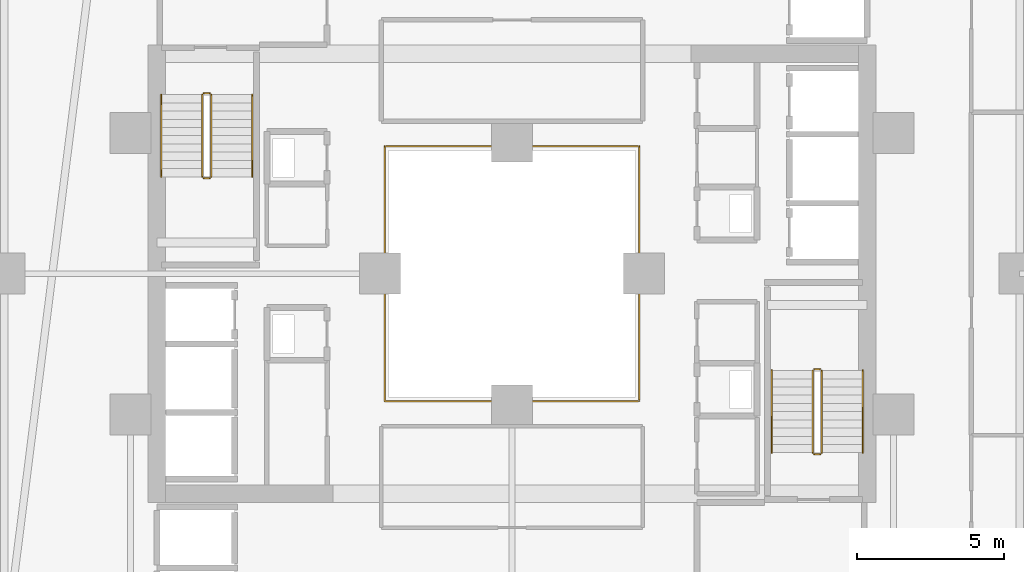
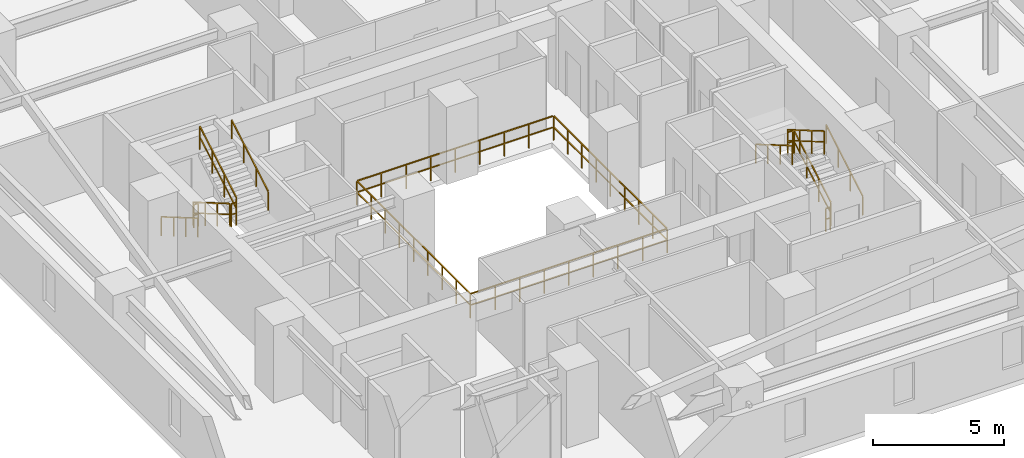
# One storey, part 33 of 34: 13 railings.
"""IFC4 building model written with IfcOpenShell, lengths in metres."""

from ifc_helpers import new_model, si_unit, direction, frame, origin, origin_2d, place, context, subcontext, project, spatial, rectangle, extrude, material, type_object, element, save


model = new_model("IFC4")

# Units and contexts
model_context = context("Model", 3, precision=1e-05, world=origin(), true_north=direction((0.0, 1.0)))
body_context = subcontext(model_context, "Body", "Model", "MODEL_VIEW")
ifc_project = project(units=[si_unit("LENGTHUNIT", "METRE"), si_unit("AREAUNIT", "SQUARE_METRE"), si_unit("VOLUMEUNIT", "CUBIC_METRE"), si_unit("PLANEANGLEUNIT", "RADIAN"), si_unit("MASSUNIT", "GRAM", prefix="KILO")], contexts=[model_context])

# Site, building, storey
site_placement = place(None, origin())
site = spatial("IfcSite", under=ifc_project, at=site_placement, CompositionType="ELEMENT")
building_placement = place(site_placement, origin())
building = spatial("IfcBuilding", under=site, at=building_placement, Name="Thornwick Lancets Civic Towers", CompositionType="ELEMENT")
storey_placement = place(building_placement, frame((0.0, 0.0, 60.89990234375)))
storey = spatial("IfcBuildingStorey", under=building, at=storey_placement, Name="L15", CompositionType="ELEMENT", Elevation=60.89990234375)

# Railings
ifc_material_1 = material(Name="Laminated glass and bronze steel S355", Category="steel")
railing_type_1 = type_object("IfcRailingType", Name="RAIL_ATRIUM_GUARD", PredefinedType="BALUSTRADE", material=ifc_material_1)
railing_1_placement = place(storey_placement, frame((84.159912109375, 22.659912109375, 0.0)))
element("IfcRailing", 1, at=railing_1_placement, inside=storey, type_object=railing_type_1, Name="L15 Tower B Central Atrium Guard Balustrade", PredefinedType="BALUSTRADE", context=body_context, shape_type="SweptSolid", body=[
    extrude(rectangle(XDim=0.048095703125, YDim=0.048095703125, at=origin_2d()), frame((0.0, 0.0, 1.1259765625), z_axis=(1.0, 0.0, 0.0), x_axis=(0.0, 1.0, 0.0)), (0.0, 0.0, 1.0), 8.64892578125),
    extrude(rectangle(XDim=0.0419921875, YDim=0.0419921875, at=origin_2d()), frame((0.03759765625, 0.0, 0.597900390625), z_axis=(1.0, 0.0, 0.0), x_axis=(0.0, 1.0, 0.0)), (0.0, 0.0, 1.0), 1.010009765625),
    extrude(rectangle(XDim=0.0419921875, YDim=0.0419921875, at=origin_2d()), frame((1.12255859375, 0.0, 0.597900390625), z_axis=(1.0, 0.0, 0.0), x_axis=(0.0, 1.0, 0.0)), (0.0, 0.0, 1.0), 1.010009765625),
    extrude(rectangle(XDim=0.0419921875, YDim=0.0419921875, at=origin_2d()), frame((2.20751953125, 0.0, 0.597900390625), z_axis=(1.0, 0.0, 0.0), x_axis=(0.0, 1.0, 0.0)), (0.0, 0.0, 1.0), 1.010009765625),
    extrude(rectangle(XDim=0.0419921875, YDim=0.0419921875, at=origin_2d()), frame((3.29248046875, 0.0, 0.597900390625), z_axis=(1.0, 0.0, 0.0), x_axis=(0.0, 1.0, 0.0)), (0.0, 0.0, 1.0), 1.010009765625),
    extrude(rectangle(XDim=0.0419921875, YDim=0.0419921875, at=origin_2d()), frame((4.377685546875, 0.0, 0.597900390625), z_axis=(1.0, 0.0, 0.0), x_axis=(0.0, 1.0, 0.0)), (0.0, 0.0, 1.0), 1.010009765625),
    extrude(rectangle(XDim=0.0419921875, YDim=0.0419921875, at=origin_2d()), frame((5.462646484375, 0.0, 0.597900390625), z_axis=(1.0, 0.0, 0.0), x_axis=(0.0, 1.0, 0.0)), (0.0, 0.0, 1.0), 1.010009765625),
    extrude(rectangle(XDim=0.0419921875, YDim=0.0419921875, at=origin_2d()), frame((6.547607421875, 0.0, 0.597900390625), z_axis=(1.0, 0.0, 0.0), x_axis=(0.0, 1.0, 0.0)), (0.0, 0.0, 1.0), 1.010009765625),
    extrude(rectangle(XDim=0.0419921875, YDim=0.0419921875, at=origin_2d()), frame((7.632568359375, 0.0, 0.597900390625), z_axis=(1.0, 0.0, 0.0), x_axis=(0.0, 1.0, 0.0)), (0.0, 0.0, 1.0), 1.010009765625),
    extrude(rectangle(XDim=0.048095703125, YDim=0.048095703125, at=origin_2d()), frame((8.68017578125, 0.03125, 1.1259765625), z_axis=(0.0, 1.0, 0.0), x_axis=(-1.0, 0.0, 0.0)), (0.0, 0.0, 1.0), 8.61767578125),
    extrude(rectangle(XDim=0.0419921875, YDim=0.0419921875, at=origin_2d()), frame((8.68017578125, 0.03759765625, 0.597900390625), z_axis=(0.0, 1.0, 0.0), x_axis=(-1.0, 0.0, 0.0)), (0.0, 0.0, 1.0), 1.010009765625),
    extrude(rectangle(XDim=0.0419921875, YDim=0.0419921875, at=origin_2d()), frame((8.68017578125, 1.12255859375, 0.597900390625), z_axis=(0.0, 1.0, 0.0), x_axis=(-1.0, 0.0, 0.0)), (0.0, 0.0, 1.0), 1.010009765625),
    extrude(rectangle(XDim=0.0419921875, YDim=0.0419921875, at=origin_2d()), frame((8.68017578125, 2.20751953125, 0.597900390625), z_axis=(0.0, 1.0, 0.0), x_axis=(-1.0, 0.0, 0.0)), (0.0, 0.0, 1.0), 1.010009765625),
    extrude(rectangle(XDim=0.0419921875, YDim=0.0419921875, at=origin_2d()), frame((8.68017578125, 3.29248046875, 0.597900390625), z_axis=(0.0, 1.0, 0.0), x_axis=(-1.0, 0.0, 0.0)), (0.0, 0.0, 1.0), 1.010009765625),
    extrude(rectangle(XDim=0.0419921875, YDim=0.0419921875, at=origin_2d()), frame((8.68017578125, 4.377685546875, 0.597900390625), z_axis=(0.0, 1.0, 0.0), x_axis=(-1.0, 0.0, 0.0)), (0.0, 0.0, 1.0), 1.010009765625),
    extrude(rectangle(XDim=0.0419921875, YDim=0.0419921875, at=origin_2d()), frame((8.68017578125, 5.462646484375, 0.597900390625), z_axis=(0.0, 1.0, 0.0), x_axis=(-1.0, 0.0, 0.0)), (0.0, 0.0, 1.0), 1.010009765625),
    extrude(rectangle(XDim=0.0419921875, YDim=0.0419921875, at=origin_2d()), frame((8.68017578125, 6.547607421875, 0.597900390625), z_axis=(0.0, 1.0, 0.0), x_axis=(-1.0, 0.0, 0.0)), (0.0, 0.0, 1.0), 1.010009765625),
    extrude(rectangle(XDim=0.0419921875, YDim=0.0419921875, at=origin_2d()), frame((8.68017578125, 7.632568359375, 0.597900390625), z_axis=(0.0, 1.0, 0.0), x_axis=(-1.0, 0.0, 0.0)), (0.0, 0.0, 1.0), 1.010009765625),
    extrude(rectangle(XDim=0.048095703125, YDim=0.048095703125, at=origin_2d()), frame((8.64892578125, 8.68017578125, 1.1259765625), z_axis=(-1.0, 0.0, 0.0), x_axis=(0.0, -1.0, 0.0)), (0.0, 0.0, 1.0), 8.61767578125),
    extrude(rectangle(XDim=0.0419921875, YDim=0.0419921875, at=origin_2d()), frame((8.642578125, 8.68017578125, 0.597900390625), z_axis=(-1.0, 0.0, 0.0), x_axis=(0.0, -1.0, 0.0)), (0.0, 0.0, 1.0), 1.010009765625),
    extrude(rectangle(XDim=0.0419921875, YDim=0.0419921875, at=origin_2d()), frame((7.5576171875, 8.68017578125, 0.597900390625), z_axis=(-1.0, 0.0, 0.0), x_axis=(0.0, -1.0, 0.0)), (0.0, 0.0, 1.0), 1.010009765625),
    extrude(rectangle(XDim=0.0419921875, YDim=0.0419921875, at=origin_2d()), frame((6.47265625, 8.68017578125, 0.597900390625), z_axis=(-1.0, 0.0, 0.0), x_axis=(0.0, -1.0, 0.0)), (0.0, 0.0, 1.0), 1.010009765625),
    extrude(rectangle(XDim=0.0419921875, YDim=0.0419921875, at=origin_2d()), frame((5.3876953125, 8.68017578125, 0.597900390625), z_axis=(-1.0, 0.0, 0.0), x_axis=(0.0, -1.0, 0.0)), (0.0, 0.0, 1.0), 1.010009765625),
    extrude(rectangle(XDim=0.0419921875, YDim=0.0419921875, at=origin_2d()), frame((4.302490234375, 8.68017578125, 0.597900390625), z_axis=(-1.0, 0.0, 0.0), x_axis=(0.0, -1.0, 0.0)), (0.0, 0.0, 1.0), 1.010009765625),
    extrude(rectangle(XDim=0.0419921875, YDim=0.0419921875, at=origin_2d()), frame((3.217529296875, 8.68017578125, 0.597900390625), z_axis=(-1.0, 0.0, 0.0), x_axis=(0.0, -1.0, 0.0)), (0.0, 0.0, 1.0), 1.010009765625),
    extrude(rectangle(XDim=0.0419921875, YDim=0.0419921875, at=origin_2d()), frame((2.132568359375, 8.68017578125, 0.597900390625), z_axis=(-1.0, 0.0, 0.0), x_axis=(0.0, -1.0, 0.0)), (0.0, 0.0, 1.0), 1.010009765625),
    extrude(rectangle(XDim=0.0419921875, YDim=0.0419921875, at=origin_2d()), frame((1.047607421875, 8.68017578125, 0.597900390625), z_axis=(-1.0, 0.0, 0.0), x_axis=(0.0, -1.0, 0.0)), (0.0, 0.0, 1.0), 1.010009765625),
    extrude(rectangle(XDim=0.048095703125, YDim=0.048095703125, at=origin_2d()), frame((0.0, 8.64892578125, 1.1259765625), z_axis=(0.0, -1.0, 0.0), x_axis=(1.0, 0.0, 0.0)), (0.0, 0.0, 1.0), 8.64892578125),
    extrude(rectangle(XDim=0.0419921875, YDim=0.0419921875, at=origin_2d()), frame((0.0, 8.642578125, 0.597900390625), z_axis=(0.0, -1.0, 0.0), x_axis=(1.0, 0.0, 0.0)), (0.0, 0.0, 1.0), 1.010009765625),
    extrude(rectangle(XDim=0.0419921875, YDim=0.0419921875, at=origin_2d()), frame((0.0, 7.5576171875, 0.597900390625), z_axis=(0.0, -1.0, 0.0), x_axis=(1.0, 0.0, 0.0)), (0.0, 0.0, 1.0), 1.010009765625),
    extrude(rectangle(XDim=0.0419921875, YDim=0.0419921875, at=origin_2d()), frame((0.0, 6.47265625, 0.597900390625), z_axis=(0.0, -1.0, 0.0), x_axis=(1.0, 0.0, 0.0)), (0.0, 0.0, 1.0), 1.010009765625),
    extrude(rectangle(XDim=0.0419921875, YDim=0.0419921875, at=origin_2d()), frame((0.0, 5.3876953125, 0.597900390625), z_axis=(0.0, -1.0, 0.0), x_axis=(1.0, 0.0, 0.0)), (0.0, 0.0, 1.0), 1.010009765625),
    extrude(rectangle(XDim=0.0419921875, YDim=0.0419921875, at=origin_2d()), frame((0.0, 4.302490234375, 0.597900390625), z_axis=(0.0, -1.0, 0.0), x_axis=(1.0, 0.0, 0.0)), (0.0, 0.0, 1.0), 1.010009765625),
    extrude(rectangle(XDim=0.0419921875, YDim=0.0419921875, at=origin_2d()), frame((0.0, 3.217529296875, 0.597900390625), z_axis=(0.0, -1.0, 0.0), x_axis=(1.0, 0.0, 0.0)), (0.0, 0.0, 1.0), 1.010009765625),
    extrude(rectangle(XDim=0.0419921875, YDim=0.0419921875, at=origin_2d()), frame((0.0, 2.132568359375, 0.597900390625), z_axis=(0.0, -1.0, 0.0), x_axis=(1.0, 0.0, 0.0)), (0.0, 0.0, 1.0), 1.010009765625),
    extrude(rectangle(XDim=0.0419921875, YDim=0.0419921875, at=origin_2d()), frame((0.0, 1.047607421875, 0.597900390625), z_axis=(0.0, -1.0, 0.0), x_axis=(1.0, 0.0, 0.0)), (0.0, 0.0, 1.0), 1.010009765625),
    extrude(rectangle(XDim=0.0419921875, YDim=0.0419921875, at=origin_2d()), origin(), (0.0, 0.0, 1.0), 1.095703125),
    extrude(rectangle(XDim=0.0419921875, YDim=0.0419921875, at=origin_2d()), frame((1.0849609375, 0.0, 0.0)), (0.0, 0.0, 1.0), 1.095703125),
    extrude(rectangle(XDim=0.0419921875, YDim=0.0419921875, at=origin_2d()), frame((2.169921875, 0.0, 0.0)), (0.0, 0.0, 1.0), 1.095703125),
    extrude(rectangle(XDim=0.0419921875, YDim=0.0419921875, at=origin_2d()), frame((3.255126953125, 0.0, 0.0)), (0.0, 0.0, 1.0), 1.095703125),
    extrude(rectangle(XDim=0.0419921875, YDim=0.0419921875, at=origin_2d()), frame((4.340087890625, 0.0, 0.0)), (0.0, 0.0, 1.0), 1.095703125),
    extrude(rectangle(XDim=0.0419921875, YDim=0.0419921875, at=origin_2d()), frame((5.425048828125, 0.0, 0.0)), (0.0, 0.0, 1.0), 1.095703125),
    extrude(rectangle(XDim=0.0419921875, YDim=0.0419921875, at=origin_2d()), frame((6.51025390625, 0.0, 0.0)), (0.0, 0.0, 1.0), 1.095703125),
    extrude(rectangle(XDim=0.0419921875, YDim=0.0419921875, at=origin_2d()), frame((7.59521484375, 0.0, 0.0)), (0.0, 0.0, 1.0), 1.095703125),
    extrude(rectangle(XDim=0.0419921875, YDim=0.0419921875, at=origin_2d()), frame((8.68017578125, 0.0, 0.0)), (0.0, 0.0, 1.0), 1.095703125),
    extrude(rectangle(XDim=0.0419921875, YDim=0.0419921875, at=origin_2d()), frame((8.68017578125, 1.0849609375, 0.0)), (0.0, 0.0, 1.0), 1.095703125),
    extrude(rectangle(XDim=0.0419921875, YDim=0.0419921875, at=origin_2d()), frame((8.68017578125, 2.169921875, 0.0)), (0.0, 0.0, 1.0), 1.095703125),
    extrude(rectangle(XDim=0.0419921875, YDim=0.0419921875, at=origin_2d()), frame((8.68017578125, 3.255126953125, 0.0)), (0.0, 0.0, 1.0), 1.095703125),
    extrude(rectangle(XDim=0.0419921875, YDim=0.0419921875, at=origin_2d()), frame((8.68017578125, 4.340087890625, 0.0)), (0.0, 0.0, 1.0), 1.095703125),
    extrude(rectangle(XDim=0.0419921875, YDim=0.0419921875, at=origin_2d()), frame((8.68017578125, 5.425048828125, 0.0)), (0.0, 0.0, 1.0), 1.095703125),
    extrude(rectangle(XDim=0.0419921875, YDim=0.0419921875, at=origin_2d()), frame((8.68017578125, 6.51025390625, 0.0)), (0.0, 0.0, 1.0), 1.095703125),
    extrude(rectangle(XDim=0.0419921875, YDim=0.0419921875, at=origin_2d()), frame((8.68017578125, 7.59521484375, 0.0)), (0.0, 0.0, 1.0), 1.095703125),
    extrude(rectangle(XDim=0.0419921875, YDim=0.0419921875, at=origin_2d()), frame((8.68017578125, 8.68017578125, 0.0)), (0.0, 0.0, 1.0), 1.095703125),
    extrude(rectangle(XDim=0.0419921875, YDim=0.0419921875, at=origin_2d()), frame((7.59521484375, 8.68017578125, 0.0)), (0.0, 0.0, 1.0), 1.095703125),
    extrude(rectangle(XDim=0.0419921875, YDim=0.0419921875, at=origin_2d()), frame((6.51025390625, 8.68017578125, 0.0)), (0.0, 0.0, 1.0), 1.095703125),
    extrude(rectangle(XDim=0.0419921875, YDim=0.0419921875, at=origin_2d()), frame((5.425048828125, 8.68017578125, 0.0)), (0.0, 0.0, 1.0), 1.095703125),
    extrude(rectangle(XDim=0.0419921875, YDim=0.0419921875, at=origin_2d()), frame((4.340087890625, 8.68017578125, 0.0)), (0.0, 0.0, 1.0), 1.095703125),
    extrude(rectangle(XDim=0.0419921875, YDim=0.0419921875, at=origin_2d()), frame((3.255126953125, 8.68017578125, 0.0)), (0.0, 0.0, 1.0), 1.095703125),
    extrude(rectangle(XDim=0.0419921875, YDim=0.0419921875, at=origin_2d()), frame((2.169921875, 8.68017578125, 0.0)), (0.0, 0.0, 1.0), 1.095703125),
    extrude(rectangle(XDim=0.0419921875, YDim=0.0419921875, at=origin_2d()), frame((1.0849609375, 8.68017578125, 0.0)), (0.0, 0.0, 1.0), 1.095703125),
    extrude(rectangle(XDim=0.0419921875, YDim=0.0419921875, at=origin_2d()), frame((0.0, 8.68017578125, 0.0)), (0.0, 0.0, 1.0), 1.095703125),
    extrude(rectangle(XDim=0.0419921875, YDim=0.0419921875, at=origin_2d()), frame((0.0, 7.59521484375, 0.0)), (0.0, 0.0, 1.0), 1.095703125),
    extrude(rectangle(XDim=0.0419921875, YDim=0.0419921875, at=origin_2d()), frame((0.0, 6.51025390625, 0.0)), (0.0, 0.0, 1.0), 1.095703125),
    extrude(rectangle(XDim=0.0419921875, YDim=0.0419921875, at=origin_2d()), frame((0.0, 5.425048828125, 0.0)), (0.0, 0.0, 1.0), 1.095703125),
    extrude(rectangle(XDim=0.0419921875, YDim=0.0419921875, at=origin_2d()), frame((0.0, 4.340087890625, 0.0)), (0.0, 0.0, 1.0), 1.095703125),
    extrude(rectangle(XDim=0.0419921875, YDim=0.0419921875, at=origin_2d()), frame((0.0, 3.255126953125, 0.0)), (0.0, 0.0, 1.0), 1.095703125),
    extrude(rectangle(XDim=0.0419921875, YDim=0.0419921875, at=origin_2d()), frame((0.0, 2.169921875, 0.0)), (0.0, 0.0, 1.0), 1.095703125),
    extrude(rectangle(XDim=0.0419921875, YDim=0.0419921875, at=origin_2d()), frame((0.0, 1.0849609375, 0.0)), (0.0, 0.0, 1.0), 1.095703125),
])
ifc_material_2 = material(Name="Brushed stainless steel S355", Category="steel")
railing_type_2 = type_object("IfcRailingType", Name="RAIL_HANDRAIL", PredefinedType="HANDRAIL", material=ifc_material_2)
railing_2_placement = place(storey_placement, frame((100.449951171875, 20.89990234375, 0.163818359375)))
element("IfcRailing", 2, at=railing_2_placement, inside=storey, type_object=railing_type_2, Name="L15 ST-B1 stair handrail 1", PredefinedType="HANDRAIL", context=body_context, shape_type="SweptSolid", body=[
    extrude(rectangle(XDim=0.048095703125, YDim=0.048095703125, at=origin_2d()), frame((0.0, 0.0, 0.8857421875), z_axis=(0.0, 0.863393664356, 0.504530851732), x_axis=(-1.0, 0.0, 0.0)), (0.0, 0.0, 1.0), 3.2431640625),
    extrude(rectangle(XDim=0.0419921875, YDim=0.0419921875, at=origin_2d()), origin(), (0.0, 0.0, 1.0), 0.855712890625),
    extrude(rectangle(XDim=0.0419921875, YDim=0.0419921875, at=origin_2d()), frame((0.0, 0.933349609375, 0.54541015625)), (0.0, 0.0, 1.0), 0.855712890625),
    extrude(rectangle(XDim=0.0419921875, YDim=0.0419921875, at=origin_2d()), frame((0.0, 1.86669921875, 1.0908203125)), (0.0, 0.0, 1.0), 0.855712890625),
    extrude(rectangle(XDim=0.0419921875, YDim=0.0419921875, at=origin_2d()), frame((0.0, 2.800048828125, 1.63623046875)), (0.0, 0.0, 1.0), 0.855712890625),
])
railing_3_placement = place(storey_placement, frame((97.35009765625, 23.699951171875, 1.963623046875)))
element("IfcRailing", 3, at=railing_3_placement, inside=storey, type_object=railing_type_2, Name="L15 ST-B1 stair handrail 2", PredefinedType="HANDRAIL", context=body_context, shape_type="SweptSolid", body=[
    extrude(rectangle(XDim=0.048095703125, YDim=0.048095703125, at=origin_2d()), frame((0.0, 0.0, 0.8857421875), z_axis=(0.0, -0.863360870873, 0.504586966384), x_axis=(1.0, 0.0, 0.0)), (0.0, 0.0, 1.0), 3.2431640625),
    extrude(rectangle(XDim=0.0419921875, YDim=0.0419921875, at=origin_2d()), origin(), (0.0, 0.0, 1.0), 0.855712890625),
    extrude(rectangle(XDim=0.0419921875, YDim=0.0419921875, at=origin_2d()), frame((0.0, -0.933349609375, 0.54541015625)), (0.0, 0.0, 1.0), 0.855712890625),
    extrude(rectangle(XDim=0.0419921875, YDim=0.0419921875, at=origin_2d()), frame((0.0, -1.86669921875, 1.091064453125)), (0.0, 0.0, 1.0), 0.855712890625),
    extrude(rectangle(XDim=0.0419921875, YDim=0.0419921875, at=origin_2d()), frame((0.0, -2.800048828125, 1.636474609375)), (0.0, 0.0, 1.0), 0.855712890625),
])
railing_4_placement = place(storey_placement, frame((76.550048828125, 33.10009765625, 0.163818359375)))
element("IfcRailing", 4, at=railing_4_placement, inside=storey, type_object=railing_type_2, Name="L15 ST-B2 stair handrail 1", PredefinedType="HANDRAIL", context=body_context, shape_type="SweptSolid", body=[
    extrude(rectangle(XDim=0.048095703125, YDim=0.048095703125, at=origin_2d()), frame((0.0, 0.0, 0.8857421875), z_axis=(0.0, -0.863393664356, 0.504530851732), x_axis=(1.0, 0.0, 0.0)), (0.0, 0.0, 1.0), 3.2431640625),
    extrude(rectangle(XDim=0.0419921875, YDim=0.0419921875, at=origin_2d()), origin(), (0.0, 0.0, 1.0), 0.855712890625),
    extrude(rectangle(XDim=0.0419921875, YDim=0.0419921875, at=origin_2d()), frame((0.0, -0.933349609375, 0.54541015625)), (0.0, 0.0, 1.0), 0.855712890625),
    extrude(rectangle(XDim=0.0419921875, YDim=0.0419921875, at=origin_2d()), frame((0.0, -1.86669921875, 1.0908203125)), (0.0, 0.0, 1.0), 0.855712890625),
    extrude(rectangle(XDim=0.0419921875, YDim=0.0419921875, at=origin_2d()), frame((0.0, -2.800048828125, 1.63623046875)), (0.0, 0.0, 1.0), 0.855712890625),
])
railing_5_placement = place(storey_placement, frame((79.64990234375, 30.300048828125, 1.963623046875)))
element("IfcRailing", 5, at=railing_5_placement, inside=storey, type_object=railing_type_2, Name="L15 ST-B2 stair handrail 2", PredefinedType="HANDRAIL", context=body_context, shape_type="SweptSolid", body=[
    extrude(rectangle(XDim=0.048095703125, YDim=0.048095703125, at=origin_2d()), frame((0.0, 0.0, 0.8857421875), z_axis=(0.0, 0.863360870873, 0.504586966384), x_axis=(-1.0, 0.0, 0.0)), (0.0, 0.0, 1.0), 3.2431640625),
    extrude(rectangle(XDim=0.0419921875, YDim=0.0419921875, at=origin_2d()), origin(), (0.0, 0.0, 1.0), 0.855712890625),
    extrude(rectangle(XDim=0.0419921875, YDim=0.0419921875, at=origin_2d()), frame((0.0, 0.933349609375, 0.54541015625)), (0.0, 0.0, 1.0), 0.855712890625),
    extrude(rectangle(XDim=0.0419921875, YDim=0.0419921875, at=origin_2d()), frame((0.0, 1.86669921875, 1.091064453125)), (0.0, 0.0, 1.0), 0.855712890625),
    extrude(rectangle(XDim=0.0419921875, YDim=0.0419921875, at=origin_2d()), frame((0.0, 2.800048828125, 1.636474609375)), (0.0, 0.0, 1.0), 0.855712890625),
])
ifc_material_3 = material(Name="Steel S355JR", Category="steel")
railing_type_3 = type_object("IfcRailingType", Name="RAIL_STAIR_GUARD", PredefinedType="GUARDRAIL", material=ifc_material_3)
railing_6_placement = place(storey_placement, frame((99.050048828125, 20.89990234375, 0.163818359375)))
element("IfcRailing", 6, at=railing_6_placement, inside=storey, type_object=railing_type_3, Name="L15 ST-B1 stair guard 1", PredefinedType="GUARDRAIL", context=body_context, shape_type="SweptSolid", body=[
    extrude(rectangle(XDim=0.048095703125, YDim=0.048095703125, at=origin_2d()), frame((0.0, 0.0, 1.076171875), z_axis=(0.0, 0.863393664356, 0.504530851732), x_axis=(-1.0, 0.0, 0.0)), (0.0, 0.0, 1.0), 3.2431640625),
    extrude(rectangle(XDim=0.0419921875, YDim=0.0419921875, at=origin_2d()), frame((0.0, 0.032470703125, 0.591064453125), z_axis=(0.0, 0.863393664356, 0.504530851732), x_axis=(-1.0, 0.0, 0.0)), (0.0, 0.0, 1.0), 1.006103515625),
    extrude(rectangle(XDim=0.0419921875, YDim=0.0419921875, at=origin_2d()), frame((0.0, 0.9658203125, 1.136474609375), z_axis=(0.0, 0.863393664356, 0.504530851732), x_axis=(-1.0, 0.0, 0.0)), (0.0, 0.0, 1.0), 1.006103515625),
    extrude(rectangle(XDim=0.0419921875, YDim=0.0419921875, at=origin_2d()), frame((0.0, 1.899169921875, 1.681884765625), z_axis=(0.0, 0.863393664356, 0.504530851732), x_axis=(-1.0, 0.0, 0.0)), (0.0, 0.0, 1.0), 1.006103515625),
    extrude(rectangle(XDim=0.0419921875, YDim=0.0419921875, at=origin_2d()), origin(), (0.0, 0.0, 1.0), 1.0458984375),
    extrude(rectangle(XDim=0.0419921875, YDim=0.0419921875, at=origin_2d()), frame((0.0, 0.933349609375, 0.54541015625)), (0.0, 0.0, 1.0), 1.0458984375),
    extrude(rectangle(XDim=0.0419921875, YDim=0.0419921875, at=origin_2d()), frame((0.0, 1.86669921875, 1.0908203125)), (0.0, 0.0, 1.0), 1.0458984375),
    extrude(rectangle(XDim=0.0419921875, YDim=0.0419921875, at=origin_2d()), frame((0.0, 2.800048828125, 1.63623046875)), (0.0, 0.0, 1.0), 1.0458984375),
])
railing_7_placement = place(storey_placement, frame((99.0, 23.75, 1.800048828125)))
element("IfcRailing", 7, at=railing_7_placement, inside=storey, type_object=railing_type_3, Name="L15 ST-B1 stair guard 2", PredefinedType="GUARDRAIL", context=body_context, shape_type="SweptSolid", body=[
    extrude(rectangle(XDim=0.048095703125, YDim=0.048095703125, at=origin_2d()), frame((0.0, 0.0, 1.076171875), z_axis=(-1.0, 0.0, 0.0), x_axis=(0.0, -1.0, 0.0)), (0.0, 0.0, 1.0), 0.199951171875),
    extrude(rectangle(XDim=0.0419921875, YDim=0.0419921875, at=origin_2d()), frame((-0.03759765625, 0.0, 0.572021484375), z_axis=(-1.0, 0.0, 0.0), x_axis=(0.0, -1.0, 0.0)), (0.0, 0.0, 1.0), 0.125),
    extrude(rectangle(XDim=0.0419921875, YDim=0.0419921875, at=origin_2d()), origin(), (0.0, 0.0, 1.0), 1.0458984375),
    extrude(rectangle(XDim=0.0419921875, YDim=0.0419921875, at=origin_2d()), frame((-0.199951171875, 0.0, 0.0)), (0.0, 0.0, 1.0), 1.0458984375),
])
railing_8_placement = place(storey_placement, frame((98.75, 23.699951171875, 1.963623046875)))
element("IfcRailing", 8, at=railing_8_placement, inside=storey, type_object=railing_type_3, Name="L15 ST-B1 stair guard 3", PredefinedType="GUARDRAIL", context=body_context, shape_type="SweptSolid", body=[
    extrude(rectangle(XDim=0.048095703125, YDim=0.048095703125, at=origin_2d()), frame((0.0, 0.0, 1.076171875), z_axis=(0.0, -0.863360870873, 0.504586966384), x_axis=(1.0, 0.0, 0.0)), (0.0, 0.0, 1.0), 3.2431640625),
    extrude(rectangle(XDim=0.0419921875, YDim=0.0419921875, at=origin_2d()), frame((0.0, -0.032470703125, 0.591064453125), z_axis=(0.0, -0.863360870873, 0.504586966384), x_axis=(1.0, 0.0, 0.0)), (0.0, 0.0, 1.0), 1.006103515625),
    extrude(rectangle(XDim=0.0419921875, YDim=0.0419921875, at=origin_2d()), frame((0.0, -0.9658203125, 1.136474609375), z_axis=(0.0, -0.863360870873, 0.504586966384), x_axis=(1.0, 0.0, 0.0)), (0.0, 0.0, 1.0), 1.006103515625),
    extrude(rectangle(XDim=0.0419921875, YDim=0.0419921875, at=origin_2d()), frame((0.0, -1.899169921875, 1.681884765625), z_axis=(0.0, -0.863360870873, 0.504586966384), x_axis=(1.0, 0.0, 0.0)), (0.0, 0.0, 1.0), 1.006103515625),
    extrude(rectangle(XDim=0.0419921875, YDim=0.0419921875, at=origin_2d()), origin(), (0.0, 0.0, 1.0), 1.0458984375),
    extrude(rectangle(XDim=0.0419921875, YDim=0.0419921875, at=origin_2d()), frame((0.0, -0.933349609375, 0.54541015625)), (0.0, 0.0, 1.0), 1.0458984375),
    extrude(rectangle(XDim=0.0419921875, YDim=0.0419921875, at=origin_2d()), frame((0.0, -1.86669921875, 1.091064453125)), (0.0, 0.0, 1.0), 1.0458984375),
    extrude(rectangle(XDim=0.0419921875, YDim=0.0419921875, at=origin_2d()), frame((0.0, -2.800048828125, 1.636474609375)), (0.0, 0.0, 1.0), 1.0458984375),
])
railing_9_placement = place(storey_placement, frame((99.0, 20.85009765625, 0.0)))
element("IfcRailing", 9, at=railing_9_placement, inside=storey, type_object=railing_type_3, Name="L15 ST-B1 stair guard 4", PredefinedType="GUARDRAIL", context=body_context, shape_type="SweptSolid", body=[
    extrude(rectangle(XDim=0.048095703125, YDim=0.048095703125, at=origin_2d()), frame((0.0, 0.0, 1.076171875), z_axis=(-1.0, 0.0, 0.0), x_axis=(0.0, -1.0, 0.0)), (0.0, 0.0, 1.0), 0.199951171875),
    extrude(rectangle(XDim=0.0419921875, YDim=0.0419921875, at=origin_2d()), frame((-0.03759765625, 0.0, 0.572021484375), z_axis=(-1.0, 0.0, 0.0), x_axis=(0.0, -1.0, 0.0)), (0.0, 0.0, 1.0), 0.125),
    extrude(rectangle(XDim=0.0419921875, YDim=0.0419921875, at=origin_2d()), origin(), (0.0, 0.0, 1.0), 1.0458984375),
    extrude(rectangle(XDim=0.0419921875, YDim=0.0419921875, at=origin_2d()), frame((-0.199951171875, 0.0, 0.0)), (0.0, 0.0, 1.0), 1.0458984375),
])
railing_10_placement = place(storey_placement, frame((77.949951171875, 33.10009765625, 0.163818359375)))
element("IfcRailing", 10, at=railing_10_placement, inside=storey, type_object=railing_type_3, Name="L15 ST-B2 stair guard 1", PredefinedType="GUARDRAIL", context=body_context, shape_type="SweptSolid", body=[
    extrude(rectangle(XDim=0.048095703125, YDim=0.048095703125, at=origin_2d()), frame((0.0, 0.0, 1.076171875), z_axis=(0.0, -0.863393664356, 0.504530851732), x_axis=(1.0, 0.0, 0.0)), (0.0, 0.0, 1.0), 3.2431640625),
    extrude(rectangle(XDim=0.0419921875, YDim=0.0419921875, at=origin_2d()), frame((0.0, -0.032470703125, 0.591064453125), z_axis=(0.0, -0.863393664356, 0.504530851732), x_axis=(1.0, 0.0, 0.0)), (0.0, 0.0, 1.0), 1.006103515625),
    extrude(rectangle(XDim=0.0419921875, YDim=0.0419921875, at=origin_2d()), frame((0.0, -0.9658203125, 1.136474609375), z_axis=(0.0, -0.863393664356, 0.504530851732), x_axis=(1.0, 0.0, 0.0)), (0.0, 0.0, 1.0), 1.006103515625),
    extrude(rectangle(XDim=0.0419921875, YDim=0.0419921875, at=origin_2d()), frame((0.0, -1.899169921875, 1.681884765625), z_axis=(0.0, -0.863393664356, 0.504530851732), x_axis=(1.0, 0.0, 0.0)), (0.0, 0.0, 1.0), 1.006103515625),
    extrude(rectangle(XDim=0.0419921875, YDim=0.0419921875, at=origin_2d()), origin(), (0.0, 0.0, 1.0), 1.0458984375),
    extrude(rectangle(XDim=0.0419921875, YDim=0.0419921875, at=origin_2d()), frame((0.0, -0.933349609375, 0.54541015625)), (0.0, 0.0, 1.0), 1.0458984375),
    extrude(rectangle(XDim=0.0419921875, YDim=0.0419921875, at=origin_2d()), frame((0.0, -1.86669921875, 1.0908203125)), (0.0, 0.0, 1.0), 1.0458984375),
    extrude(rectangle(XDim=0.0419921875, YDim=0.0419921875, at=origin_2d()), frame((0.0, -2.800048828125, 1.63623046875)), (0.0, 0.0, 1.0), 1.0458984375),
])
railing_11_placement = place(storey_placement, frame((78.0, 30.25, 1.800048828125)))
element("IfcRailing", 11, at=railing_11_placement, inside=storey, type_object=railing_type_3, Name="L15 ST-B2 stair guard 2", PredefinedType="GUARDRAIL", context=body_context, shape_type="SweptSolid", body=[
    extrude(rectangle(XDim=0.048095703125, YDim=0.048095703125, at=origin_2d()), frame((0.0, 0.0, 1.076171875), z_axis=(1.0, 0.0, 0.0), x_axis=(0.0, 1.0, 0.0)), (0.0, 0.0, 1.0), 0.199951171875),
    extrude(rectangle(XDim=0.0419921875, YDim=0.0419921875, at=origin_2d()), frame((0.03759765625, 0.0, 0.572021484375), z_axis=(1.0, 0.0, 0.0), x_axis=(0.0, 1.0, 0.0)), (0.0, 0.0, 1.0), 0.125),
    extrude(rectangle(XDim=0.0419921875, YDim=0.0419921875, at=origin_2d()), origin(), (0.0, 0.0, 1.0), 1.0458984375),
    extrude(rectangle(XDim=0.0419921875, YDim=0.0419921875, at=origin_2d()), frame((0.199951171875, 0.0, 0.0)), (0.0, 0.0, 1.0), 1.0458984375),
])
railing_12_placement = place(storey_placement, frame((78.25, 30.300048828125, 1.963623046875)))
element("IfcRailing", 12, at=railing_12_placement, inside=storey, type_object=railing_type_3, Name="L15 ST-B2 stair guard 3", PredefinedType="GUARDRAIL", context=body_context, shape_type="SweptSolid", body=[
    extrude(rectangle(XDim=0.048095703125, YDim=0.048095703125, at=origin_2d()), frame((0.0, 0.0, 1.076171875), z_axis=(0.0, 0.863360870873, 0.504586966384), x_axis=(-1.0, 0.0, 0.0)), (0.0, 0.0, 1.0), 3.2431640625),
    extrude(rectangle(XDim=0.0419921875, YDim=0.0419921875, at=origin_2d()), frame((0.0, 0.032470703125, 0.591064453125), z_axis=(0.0, 0.863360870873, 0.504586966384), x_axis=(-1.0, 0.0, 0.0)), (0.0, 0.0, 1.0), 1.006103515625),
    extrude(rectangle(XDim=0.0419921875, YDim=0.0419921875, at=origin_2d()), frame((0.0, 0.9658203125, 1.136474609375), z_axis=(0.0, 0.863360870873, 0.504586966384), x_axis=(-1.0, 0.0, 0.0)), (0.0, 0.0, 1.0), 1.006103515625),
    extrude(rectangle(XDim=0.0419921875, YDim=0.0419921875, at=origin_2d()), frame((0.0, 1.899169921875, 1.681884765625), z_axis=(0.0, 0.863360870873, 0.504586966384), x_axis=(-1.0, 0.0, 0.0)), (0.0, 0.0, 1.0), 1.006103515625),
    extrude(rectangle(XDim=0.0419921875, YDim=0.0419921875, at=origin_2d()), origin(), (0.0, 0.0, 1.0), 1.0458984375),
    extrude(rectangle(XDim=0.0419921875, YDim=0.0419921875, at=origin_2d()), frame((0.0, 0.933349609375, 0.54541015625)), (0.0, 0.0, 1.0), 1.0458984375),
    extrude(rectangle(XDim=0.0419921875, YDim=0.0419921875, at=origin_2d()), frame((0.0, 1.86669921875, 1.091064453125)), (0.0, 0.0, 1.0), 1.0458984375),
    extrude(rectangle(XDim=0.0419921875, YDim=0.0419921875, at=origin_2d()), frame((0.0, 2.800048828125, 1.636474609375)), (0.0, 0.0, 1.0), 1.0458984375),
])
railing_13_placement = place(storey_placement, frame((78.0, 33.14990234375, 0.0)))
element("IfcRailing", 13, at=railing_13_placement, inside=storey, type_object=railing_type_3, Name="L15 ST-B2 stair guard 4", PredefinedType="GUARDRAIL", context=body_context, shape_type="SweptSolid", body=[
    extrude(rectangle(XDim=0.048095703125, YDim=0.048095703125, at=origin_2d()), frame((0.0, 0.0, 1.076171875), z_axis=(1.0, 0.0, 0.0), x_axis=(0.0, 1.0, 0.0)), (0.0, 0.0, 1.0), 0.199951171875),
    extrude(rectangle(XDim=0.0419921875, YDim=0.0419921875, at=origin_2d()), frame((0.03759765625, 0.0, 0.572021484375), z_axis=(1.0, 0.0, 0.0), x_axis=(0.0, 1.0, 0.0)), (0.0, 0.0, 1.0), 0.125),
    extrude(rectangle(XDim=0.0419921875, YDim=0.0419921875, at=origin_2d()), origin(), (0.0, 0.0, 1.0), 1.0458984375),
    extrude(rectangle(XDim=0.0419921875, YDim=0.0419921875, at=origin_2d()), frame((0.199951171875, 0.0, 0.0)), (0.0, 0.0, 1.0), 1.0458984375),
])

save(model, "model.ifc")
